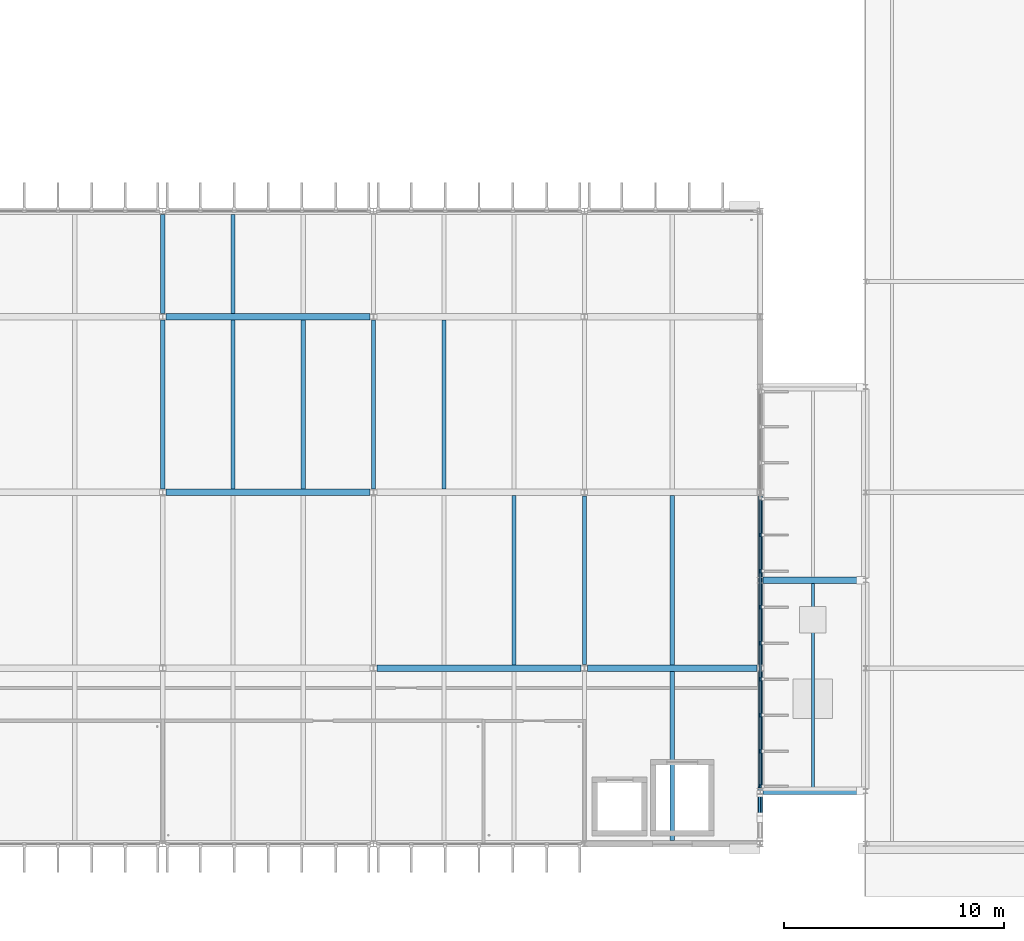
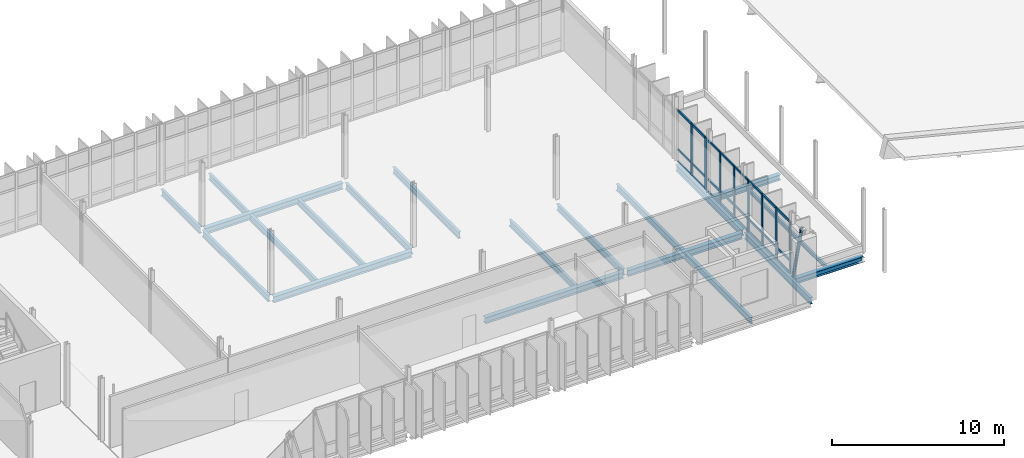
# One storey, part 31 of 93: 33 members, 20 beams, 1 element without a shape of its own.
"""IFC4 building model written with IfcOpenShell, lengths in metres."""

import ifcopenshell
import ifcopenshell.guid

model = None  # the IFC model being written
_history = None  # IfcOwnerHistory: only IFC2X3 demands one
_inside = {}  # id of a spatial element -> (the spatial element, [elements in it])
_under = {}  # id of a project, library or spatial element -> (it, [spatial elements below it])
_declared = {}  # id of a project -> (the project, [libraries it declares])
_typed = {}  # id of a type object -> (the type object, [elements of that type])
_made_of = {}  # id of a material, layer set ... -> (it, [elements and type objects made of it])


def new_model(schema):
    """Start an empty IFC model of exactly this schema.

    Asked for "IFC4X3", IfcOpenShell would pick the latest addendum, in which some entities
    have other attributes; the version numbers below select the first issue.
    IFC2X3 requires an IfcOwnerHistory on every rooted entity: one is made here for all.
    """
    global model, _history
    if schema == "IFC4X3":
        model = ifcopenshell.file(schema_version=(4, 3, 0, 0))
    else:
        model = ifcopenshell.file(schema=schema)
    _inside.clear()
    _under.clear()
    _declared.clear()
    _typed.clear()
    _made_of.clear()
    _history = None
    if model.schema == "IFC2X3":
        org = make("IfcOrganization", Name="unknown")
        user = make(
            "IfcPersonAndOrganization",
            ThePerson=make("IfcPerson", FamilyName="unknown"),
            TheOrganization=org,
        )
        app = make(
            "IfcApplication",
            ApplicationDeveloper=org,
            Version="unknown",
            ApplicationFullName="unknown",
            ApplicationIdentifier="unknown",
        )
        _history = make(
            "IfcOwnerHistory",
            OwningUser=user,
            OwningApplication=app,
            ChangeAction="ADDED",
            CreationDate=0,
        )
    return model


def make(cls, **values):
    """One entity of the class cls with the attributes given. An attribute that is None is left unset."""
    return model.create_entity(
        cls, **{name: value for name, value in values.items() if value is not None}
    )


def rooted(cls, **values):
    """An entity with a GlobalId (a new one), such as an element, a storey or a relation."""
    return make(cls, GlobalId=ifcopenshell.guid.new(), OwnerHistory=_history, **values)


def si_unit(unit_type, name, prefix=None):
    """IfcSIUnit, for example si_unit("LENGTHUNIT", "METRE", prefix="MILLI")."""
    return make("IfcSIUnit", UnitType=unit_type, Prefix=prefix, Name=name)


def assignment(units):
    """IfcUnitAssignment: the units of a project."""
    return None if units is None else make("IfcUnitAssignment", Units=units)


def point(xyz):
    """IfcCartesianPoint."""
    return None if xyz is None else make("IfcCartesianPoint", Coordinates=xyz)


def direction(xyz):
    """IfcDirection."""
    return None if xyz is None else make("IfcDirection", DirectionRatios=xyz)


def frame(location, z_axis=None, x_axis=None):
    """IfcAxis2Placement3D, a coordinate frame: its origin and axes. An axis left out is left unset."""
    return make(
        "IfcAxis2Placement3D",
        Location=point(location),
        Axis=direction(z_axis),
        RefDirection=direction(x_axis),
    )


def frame_2d(location, x_axis=None):
    """IfcAxis2Placement2D, a coordinate frame in the plane: its origin and x axis."""
    return make(
        "IfcAxis2Placement2D", Location=point(location), RefDirection=direction(x_axis)
    )


def origin():
    """The frame at (0, 0, 0) with its axes left unset."""
    return frame((0.0, 0.0, 0.0))


def origin_2d():
    """The frame at (0, 0) in the plane with its x axis left unset."""
    return frame_2d((0.0, 0.0))


def place(relative_to, where):
    """IfcLocalPlacement: puts the frame where relative to a parent placement (None: the world)."""
    return make(
        "IfcLocalPlacement", PlacementRelTo=relative_to, RelativePlacement=where
    )


def context(
    kind, dimensions, precision=None, world=None, true_north=None, identifier=None
):
    """IfcGeometricRepresentationContext, for example the 3D "Model" context."""
    return make(
        "IfcGeometricRepresentationContext",
        ContextIdentifier=identifier,
        ContextType=kind,
        CoordinateSpaceDimension=dimensions,
        Precision=precision,
        WorldCoordinateSystem=world,
        TrueNorth=true_north,
    )


def subcontext(parent, identifier, kind, view, scale=None):
    """IfcGeometricRepresentationSubContext, for example "Body" below "Model"."""
    return make(
        "IfcGeometricRepresentationSubContext",
        ContextIdentifier=identifier,
        ContextType=kind,
        ParentContext=parent,
        TargetScale=scale,
        TargetView=view,
    )


def project(units=None, contexts=None):
    """IfcProject with its units and contexts."""
    return rooted(
        "IfcProject",
        Name="project",
        RepresentationContexts=contexts,
        UnitsInContext=assignment(units),
    )


def spatial(cls, under=None, at=None, **own):
    """A site, building, storey or space (cls), placed at a placement, below another one or the project."""
    s = rooted(cls, ObjectPlacement=at, **own)
    if under is not None:
        _under.setdefault(under.id(), (under, []))[1].append(s)
    return s


def profile(cls, at=None, kind="AREA", **sizes):
    """A parametric profile (cls). Its sizes go by their IFC names, for example OverallWidth=200.0."""
    return make(cls, ProfileType=kind, Position=at, **sizes)


def rectangle(**sizes):
    """IfcRectangleProfileDef."""
    return profile("IfcRectangleProfileDef", **sizes)


def hollow_circle(**sizes):
    """IfcCircleHollowProfileDef."""
    return profile("IfcCircleHollowProfileDef", **sizes)


def i_section(**sizes):
    """IfcIShapeProfileDef."""
    return profile("IfcIShapeProfileDef", **sizes)


def extrude(swept, where, along, depth):
    """IfcExtrudedAreaSolid: the profile swept, set in the frame where, extruded along a direction by depth."""
    return make(
        "IfcExtrudedAreaSolid",
        SweptArea=swept,
        Position=where,
        ExtrudedDirection=direction(along),
        Depth=depth,
    )


def shape(context_of_items, identifier, shape_type, items):
    """IfcShapeRepresentation: the items that make up one representation, for example the "Body"."""
    return make(
        "IfcShapeRepresentation",
        ContextOfItems=context_of_items,
        RepresentationIdentifier=identifier,
        RepresentationType=shape_type,
        Items=items,
    )


def material(Name=None, Category=None):
    """IfcMaterial."""
    return make("IfcMaterial", Name=Name, Category=Category)


def material_profile(
    of_material, cross_section, Name=None, Category=None, Priority=None
):
    """IfcMaterialProfile: a cross section and its material."""
    return make(
        "IfcMaterialProfile",
        Name=Name,
        Material=of_material,
        Profile=cross_section,
        Priority=Priority,
        Category=Category,
    )


def profile_set(profiles, Name=None, composite=None):
    """IfcMaterialProfileSet."""
    return make(
        "IfcMaterialProfileSet",
        Name=Name,
        MaterialProfiles=profiles,
        CompositeProfile=composite,
    )


def made_of(thing, what):
    """Note that an element or type object is made of a material, layer set ...; save() writes the relation."""
    if what is not None:
        _made_of.setdefault(what.id(), (what, []))[1].append(thing)
    return thing


def type_object(cls, material=None, **own):
    """A type object (cls), such as IfcWallType, which elements share."""
    return made_of(rooted(cls, **own), material)


def element(
    cls,
    number,
    at=None,
    inside=None,
    cuts=None,
    type_object=None,
    material=None,
    context=None,
    identifier="Body",
    shape_type=None,
    held_by="IfcProductDefinitionShape",
    body=None,
    shapes=None,
    **own,
):
    """One element of the class cls, such as IfcWall. Its Tag is "e" and its number.

    at: its placement. inside: the storey or other place that contains it. cuts: it is an
    opening in that element (IfcRelVoidsElement). A single representation is given by context,
    identifier, shape_type and body (its items); several are given by shapes. held_by: the class
    of the entity that holds the representations. save() writes the other relations.
    """
    e = rooted(cls, Tag="e%d" % number, ObjectPlacement=at, **own)
    if body is not None:
        shapes = [shape(context, identifier, shape_type, body)]
    if shapes is not None:
        e.Representation = make(held_by, Representations=shapes)
    if inside is not None:
        _inside.setdefault(inside.id(), (inside, []))[1].append(e)
    if cuts is not None:
        rooted(
            "IfcRelVoidsElement", RelatingBuildingElement=cuts, RelatedOpeningElement=e
        )
    if type_object is not None:
        _typed.setdefault(type_object.id(), (type_object, []))[1].append(e)
    return made_of(e, material)


def aggregate(whole, parts):
    """IfcRelAggregates: a whole, such as a stair, and the parts it consists of."""
    return rooted("IfcRelAggregates", RelatingObject=whole, RelatedObjects=parts)


def save(model, path):
    """Write the relations noted so far, then the file.

    IfcRelAggregates (storeys below a building ...), IfcRelContainedInSpatialStructure (elements
    in a storey), IfcRelDefinesByType, IfcRelAssociatesMaterial and IfcRelDeclares: one each for
    every whole, place, type object, material and project.
    """
    for whole, parts in _under.values():
        aggregate(whole, parts)
    for where, things in _inside.values():
        rooted(
            "IfcRelContainedInSpatialStructure",
            RelatedElements=things,
            RelatingStructure=where,
        )
    for kind, things in _typed.values():
        rooted("IfcRelDefinesByType", RelatedObjects=things, RelatingType=kind)
    for what, things in _made_of.values():
        rooted("IfcRelAssociatesMaterial", RelatedObjects=things, RelatingMaterial=what)
    for by, libraries in _declared.values():
        rooted("IfcRelDeclares", RelatingContext=by, RelatedDefinitions=libraries)
    model.write(path)


model = new_model("IFC4")

# Units and contexts
model_context = context("Model", 3, precision=1e-05, world=origin(), true_north=direction((0.0, 1.0)))
body_context = subcontext(model_context, "Body", "Model", "MODEL_VIEW")
ifc_project = project(units=[si_unit("LENGTHUNIT", "METRE"), si_unit("AREAUNIT", "SQUARE_METRE"), si_unit("VOLUMEUNIT", "CUBIC_METRE"), si_unit("PLANEANGLEUNIT", "RADIAN"), si_unit("MASSUNIT", "GRAM", prefix="KILO")], contexts=[model_context])

# Site, building, storey
site_placement = place(None, origin())
site = spatial("IfcSite", under=ifc_project, at=site_placement, CompositionType="ELEMENT")
building_placement = place(site_placement, origin())
building = spatial("IfcBuilding", under=site, at=building_placement, Name="Dunescarp Central Library", CompositionType="ELEMENT")
storey_placement = place(building_placement, frame((0.0, 0.0, 14.10009765625)))
storey = spatial("IfcBuildingStorey", under=building, at=storey_placement, Name="L03", CompositionType="ELEMENT", Elevation=14.10009765625)

# Curtain wall, members
ifc_material_1 = material(Name="Marine-grade anodised aluminium 6063-T6", Category="aluminium")
curtain_wall_type = type_object("IfcCurtainWallType", Name="ARC-CW-STICK", PredefinedType="NOTDEFINED", material=ifc_material_1)
curtain_wall_placement = place(storey_placement, origin())
curtain_wall = element("IfcCurtainWall", 1, at=curtain_wall_placement, inside=storey, type_object=curtain_wall_type, Name="L03 curtain wall CW-V3-107", PredefinedType="NOTDEFINED")
ifc_material_profile_1 = material_profile(ifc_material_1, rectangle(XDim=0.080078125, YDim=0.179931640625, at=origin_2d()), Name="AL 80x180")
ifc_profile_set_1 = profile_set([ifc_material_profile_1], Name="Marine-grade anodised aluminium 6063-T6")
member_type_1 = type_object("IfcMemberType", Name="ARC-CWM-180", PredefinedType="MULLION", material=ifc_profile_set_1)
member_1_placement = place(storey_placement, frame((124.800048828125, 18.861328125, 0.0), z_axis=(0.0, 0.0, 1.0), x_axis=(1.0, 0.0, 0.0)))
member_1 = element("IfcMember", 2, at=member_1_placement, type_object=member_type_1, Name="CW-V3-107 mullion 5", PredefinedType="MULLION", context=body_context, shape_type="SweptSolid", body=[
    extrude(rectangle(XDim=0.080078125, YDim=0.179931640625, at=origin_2d()), origin(), (0.0, 0.0, 1.0), 3.685791015625),
])
member_2_placement = place(storey_placement, frame((124.800048828125, 17.220458984375, 0.0), z_axis=(0.0, 0.0, 1.0), x_axis=(1.0, 0.0, 0.0)))
member_2 = element("IfcMember", 3, at=member_2_placement, type_object=member_type_1, Name="CW-V3-107 mullion 6", PredefinedType="MULLION", context=body_context, shape_type="SweptSolid", body=[
    extrude(rectangle(XDim=0.080078125, YDim=0.179931640625, at=origin_2d()), origin(), (0.0, 0.0, 1.0), 3.685791015625),
])
member_3_placement = place(storey_placement, frame((124.800048828125, 15.57958984375, 0.0), z_axis=(0.0, 0.0, 1.0), x_axis=(1.0, 0.0, 0.0)))
member_3 = element("IfcMember", 4, at=member_3_placement, type_object=member_type_1, Name="CW-V3-107 mullion 7", PredefinedType="MULLION", context=body_context, shape_type="SweptSolid", body=[
    extrude(rectangle(XDim=0.080078125, YDim=0.179931640625, at=origin_2d()), origin(), (0.0, 0.0, 1.0), 3.685791015625),
])
member_4_placement = place(storey_placement, frame((124.800048828125, 13.938720703125, 0.0), z_axis=(0.0, 0.0, 1.0), x_axis=(1.0, 0.0, 0.0)))
member_4 = element("IfcMember", 5, at=member_4_placement, type_object=member_type_1, Name="CW-V3-107 mullion 8", PredefinedType="MULLION", context=body_context, shape_type="SweptSolid", body=[
    extrude(rectangle(XDim=0.080078125, YDim=0.179931640625, at=origin_2d()), origin(), (0.0, 0.0, 1.0), 3.685791015625),
])
member_5_placement = place(storey_placement, frame((124.800048828125, 12.297607421875, 0.0), z_axis=(0.0, 0.0, 1.0), x_axis=(1.0, 0.0, 0.0)))
member_5 = element("IfcMember", 6, at=member_5_placement, type_object=member_type_1, Name="CW-V3-107 mullion 9", PredefinedType="MULLION", context=body_context, shape_type="SweptSolid", body=[
    extrude(rectangle(XDim=0.080078125, YDim=0.179931640625, at=origin_2d()), origin(), (0.0, 0.0, 1.0), 3.685791015625),
])
member_6_placement = place(storey_placement, frame((124.800048828125, 10.65673828125, 0.0), z_axis=(0.0, 0.0, 1.0), x_axis=(1.0, 0.0, 0.0)))
member_6 = element("IfcMember", 7, at=member_6_placement, type_object=member_type_1, Name="CW-V3-107 mullion 10", PredefinedType="MULLION", context=body_context, shape_type="SweptSolid", body=[
    extrude(rectangle(XDim=0.080078125, YDim=0.179931640625, at=origin_2d()), origin(), (0.0, 0.0, 1.0), 3.685791015625),
])
member_7_placement = place(storey_placement, frame((124.800048828125, 9.015869140625, 0.0), z_axis=(0.0, 0.0, 1.0), x_axis=(1.0, 0.0, 0.0)))
member_7 = element("IfcMember", 8, at=member_7_placement, type_object=member_type_1, Name="CW-V3-107 mullion 11", PredefinedType="MULLION", context=body_context, shape_type="SweptSolid", body=[
    extrude(rectangle(XDim=0.080078125, YDim=0.179931640625, at=origin_2d()), origin(), (0.0, 0.0, 1.0), 3.685791015625),
])
member_8_placement = place(storey_placement, frame((124.800048828125, 7.4150390625, 0.0), z_axis=(0.0, 0.0, 1.0), x_axis=(1.0, 0.0, 0.0)))
member_8 = element("IfcMember", 9, at=member_8_placement, type_object=member_type_1, Name="CW-V3-107 mullion 12", PredefinedType="MULLION", context=body_context, shape_type="SweptSolid", body=[
    extrude(rectangle(XDim=0.080078125, YDim=0.179931640625, at=origin_2d()), origin(), (0.0, 0.0, 1.0), 3.685791015625),
])
ifc_material_profile_2 = material_profile(ifc_material_1, rectangle(XDim=0.080078125, YDim=0.14990234375, at=origin_2d()), Name="AL 80x150")
ifc_profile_set_2 = profile_set([ifc_material_profile_2], Name="Marine-grade anodised aluminium 6063-T6")
member_type_2 = type_object("IfcMemberType", Name="ARC-CWT-150", PredefinedType="USERDEFINED", material=ifc_profile_set_2)
member_9_placement = place(storey_placement, frame((124.800048828125, 20.462158203125, 0.039794921875), z_axis=(0.0, -1.0, 0.0), x_axis=(1.0, 0.0, 0.0)))
member_9 = element("IfcMember", 10, at=member_9_placement, type_object=member_type_2, Name="CW-V3-107 transom 4.1", ObjectType="TRANSOM", PredefinedType="USERDEFINED", context=body_context, shape_type="SweptSolid", body=[
    extrude(rectangle(XDim=0.080078125, YDim=0.14990234375, at=origin_2d()), origin(), (0.0, 0.0, 1.0), 1.560791015625),
])
member_10_placement = place(storey_placement, frame((124.800048828125, 20.462158203125, 0.89990234375), z_axis=(0.0, -1.0, 0.0), x_axis=(1.0, 0.0, 0.0)))
member_10 = element("IfcMember", 11, at=member_10_placement, type_object=member_type_2, Name="CW-V3-107 transom 4.2", ObjectType="TRANSOM", PredefinedType="USERDEFINED", context=body_context, shape_type="SweptSolid", body=[
    extrude(rectangle(XDim=0.080078125, YDim=0.14990234375, at=origin_2d()), origin(), (0.0, 0.0, 1.0), 1.560791015625),
])
member_11_placement = place(storey_placement, frame((124.800048828125, 20.462158203125, 3.64599609375), z_axis=(0.0, -1.0, 0.0), x_axis=(1.0, 0.0, 0.0)))
member_11 = element("IfcMember", 12, at=member_11_placement, type_object=member_type_2, Name="CW-V3-107 transom 4.3", ObjectType="TRANSOM", PredefinedType="USERDEFINED", context=body_context, shape_type="SweptSolid", body=[
    extrude(rectangle(XDim=0.080078125, YDim=0.14990234375, at=origin_2d()), origin(), (0.0, 0.0, 1.0), 1.560791015625),
])
member_12_placement = place(storey_placement, frame((124.800048828125, 18.8212890625, 0.039794921875), z_axis=(0.0, -1.0, 0.0), x_axis=(1.0, 0.0, 0.0)))
member_12 = element("IfcMember", 13, at=member_12_placement, type_object=member_type_2, Name="CW-V3-107 transom 5.1", ObjectType="TRANSOM", PredefinedType="USERDEFINED", context=body_context, shape_type="SweptSolid", body=[
    extrude(rectangle(XDim=0.080078125, YDim=0.14990234375, at=origin_2d()), origin(), (0.0, 0.0, 1.0), 1.560791015625),
])
member_13_placement = place(storey_placement, frame((124.800048828125, 18.8212890625, 0.89990234375), z_axis=(0.0, -1.0, 0.0), x_axis=(1.0, 0.0, 0.0)))
member_13 = element("IfcMember", 14, at=member_13_placement, type_object=member_type_2, Name="CW-V3-107 transom 5.2", ObjectType="TRANSOM", PredefinedType="USERDEFINED", context=body_context, shape_type="SweptSolid", body=[
    extrude(rectangle(XDim=0.080078125, YDim=0.14990234375, at=origin_2d()), origin(), (0.0, 0.0, 1.0), 1.560791015625),
])
member_14_placement = place(storey_placement, frame((124.800048828125, 18.8212890625, 3.64599609375), z_axis=(0.0, -1.0, 0.0), x_axis=(1.0, 0.0, 0.0)))
member_14 = element("IfcMember", 15, at=member_14_placement, type_object=member_type_2, Name="CW-V3-107 transom 5.3", ObjectType="TRANSOM", PredefinedType="USERDEFINED", context=body_context, shape_type="SweptSolid", body=[
    extrude(rectangle(XDim=0.080078125, YDim=0.14990234375, at=origin_2d()), origin(), (0.0, 0.0, 1.0), 1.560791015625),
])
member_15_placement = place(storey_placement, frame((124.800048828125, 17.180419921875, 0.039794921875), z_axis=(0.0, -1.0, 0.0), x_axis=(1.0, 0.0, 0.0)))
member_15 = element("IfcMember", 16, at=member_15_placement, type_object=member_type_2, Name="CW-V3-107 transom 6.1", ObjectType="TRANSOM", PredefinedType="USERDEFINED", context=body_context, shape_type="SweptSolid", body=[
    extrude(rectangle(XDim=0.080078125, YDim=0.14990234375, at=origin_2d()), origin(), (0.0, 0.0, 1.0), 1.560791015625),
])
member_16_placement = place(storey_placement, frame((124.800048828125, 17.180419921875, 0.89990234375), z_axis=(0.0, -1.0, 0.0), x_axis=(1.0, 0.0, 0.0)))
member_16 = element("IfcMember", 17, at=member_16_placement, type_object=member_type_2, Name="CW-V3-107 transom 6.2", ObjectType="TRANSOM", PredefinedType="USERDEFINED", context=body_context, shape_type="SweptSolid", body=[
    extrude(rectangle(XDim=0.080078125, YDim=0.14990234375, at=origin_2d()), origin(), (0.0, 0.0, 1.0), 1.560791015625),
])
member_17_placement = place(storey_placement, frame((124.800048828125, 17.180419921875, 3.64599609375), z_axis=(0.0, -1.0, 0.0), x_axis=(1.0, 0.0, 0.0)))
member_17 = element("IfcMember", 18, at=member_17_placement, type_object=member_type_2, Name="CW-V3-107 transom 6.3", ObjectType="TRANSOM", PredefinedType="USERDEFINED", context=body_context, shape_type="SweptSolid", body=[
    extrude(rectangle(XDim=0.080078125, YDim=0.14990234375, at=origin_2d()), origin(), (0.0, 0.0, 1.0), 1.560791015625),
])
member_18_placement = place(storey_placement, frame((124.800048828125, 15.53955078125, 0.039794921875), z_axis=(0.0, -1.0, 0.0), x_axis=(1.0, 0.0, 0.0)))
member_18 = element("IfcMember", 19, at=member_18_placement, type_object=member_type_2, Name="CW-V3-107 transom 7.1", ObjectType="TRANSOM", PredefinedType="USERDEFINED", context=body_context, shape_type="SweptSolid", body=[
    extrude(rectangle(XDim=0.080078125, YDim=0.14990234375, at=origin_2d()), origin(), (0.0, 0.0, 1.0), 1.56103515625),
])
member_19_placement = place(storey_placement, frame((124.800048828125, 15.53955078125, 0.89990234375), z_axis=(0.0, -1.0, 0.0), x_axis=(1.0, 0.0, 0.0)))
member_19 = element("IfcMember", 20, at=member_19_placement, type_object=member_type_2, Name="CW-V3-107 transom 7.2", ObjectType="TRANSOM", PredefinedType="USERDEFINED", context=body_context, shape_type="SweptSolid", body=[
    extrude(rectangle(XDim=0.080078125, YDim=0.14990234375, at=origin_2d()), origin(), (0.0, 0.0, 1.0), 1.56103515625),
])
member_20_placement = place(storey_placement, frame((124.800048828125, 15.53955078125, 3.64599609375), z_axis=(0.0, -1.0, 0.0), x_axis=(1.0, 0.0, 0.0)))
member_20 = element("IfcMember", 21, at=member_20_placement, type_object=member_type_2, Name="CW-V3-107 transom 7.3", ObjectType="TRANSOM", PredefinedType="USERDEFINED", context=body_context, shape_type="SweptSolid", body=[
    extrude(rectangle(XDim=0.080078125, YDim=0.14990234375, at=origin_2d()), origin(), (0.0, 0.0, 1.0), 1.56103515625),
])
member_21_placement = place(storey_placement, frame((124.800048828125, 13.898681640625, 0.039794921875), z_axis=(0.0, -1.0, 0.0), x_axis=(1.0, 0.0, 0.0)))
member_21 = element("IfcMember", 22, at=member_21_placement, type_object=member_type_2, Name="CW-V3-107 transom 8.1", ObjectType="TRANSOM", PredefinedType="USERDEFINED", context=body_context, shape_type="SweptSolid", body=[
    extrude(rectangle(XDim=0.080078125, YDim=0.14990234375, at=origin_2d()), origin(), (0.0, 0.0, 1.0), 1.56103515625),
])
member_22_placement = place(storey_placement, frame((124.800048828125, 13.898681640625, 0.89990234375), z_axis=(0.0, -1.0, 0.0), x_axis=(1.0, 0.0, 0.0)))
member_22 = element("IfcMember", 23, at=member_22_placement, type_object=member_type_2, Name="CW-V3-107 transom 8.2", ObjectType="TRANSOM", PredefinedType="USERDEFINED", context=body_context, shape_type="SweptSolid", body=[
    extrude(rectangle(XDim=0.080078125, YDim=0.14990234375, at=origin_2d()), origin(), (0.0, 0.0, 1.0), 1.56103515625),
])
member_23_placement = place(storey_placement, frame((124.800048828125, 13.898681640625, 3.64599609375), z_axis=(0.0, -1.0, 0.0), x_axis=(1.0, 0.0, 0.0)))
member_23 = element("IfcMember", 24, at=member_23_placement, type_object=member_type_2, Name="CW-V3-107 transom 8.3", ObjectType="TRANSOM", PredefinedType="USERDEFINED", context=body_context, shape_type="SweptSolid", body=[
    extrude(rectangle(XDim=0.080078125, YDim=0.14990234375, at=origin_2d()), origin(), (0.0, 0.0, 1.0), 1.56103515625),
])
member_24_placement = place(storey_placement, frame((124.800048828125, 12.2578125, 0.039794921875), z_axis=(0.0, -1.0, 0.0), x_axis=(1.0, 0.0, 0.0)))
member_24 = element("IfcMember", 25, at=member_24_placement, type_object=member_type_2, Name="CW-V3-107 transom 9.1", ObjectType="TRANSOM", PredefinedType="USERDEFINED", context=body_context, shape_type="SweptSolid", body=[
    extrude(rectangle(XDim=0.080078125, YDim=0.14990234375, at=origin_2d()), origin(), (0.0, 0.0, 1.0), 1.56103515625),
])
member_25_placement = place(storey_placement, frame((124.800048828125, 12.2578125, 0.89990234375), z_axis=(0.0, -1.0, 0.0), x_axis=(1.0, 0.0, 0.0)))
member_25 = element("IfcMember", 26, at=member_25_placement, type_object=member_type_2, Name="CW-V3-107 transom 9.2", ObjectType="TRANSOM", PredefinedType="USERDEFINED", context=body_context, shape_type="SweptSolid", body=[
    extrude(rectangle(XDim=0.080078125, YDim=0.14990234375, at=origin_2d()), origin(), (0.0, 0.0, 1.0), 1.56103515625),
])
member_26_placement = place(storey_placement, frame((124.800048828125, 12.2578125, 3.64599609375), z_axis=(0.0, -1.0, 0.0), x_axis=(1.0, 0.0, 0.0)))
member_26 = element("IfcMember", 27, at=member_26_placement, type_object=member_type_2, Name="CW-V3-107 transom 9.3", ObjectType="TRANSOM", PredefinedType="USERDEFINED", context=body_context, shape_type="SweptSolid", body=[
    extrude(rectangle(XDim=0.080078125, YDim=0.14990234375, at=origin_2d()), origin(), (0.0, 0.0, 1.0), 1.56103515625),
])
member_27_placement = place(storey_placement, frame((124.800048828125, 10.61669921875, 0.039794921875), z_axis=(0.0, -1.0, 0.0), x_axis=(1.0, 0.0, 0.0)))
member_27 = element("IfcMember", 28, at=member_27_placement, type_object=member_type_2, Name="CW-V3-107 transom 10.1", ObjectType="TRANSOM", PredefinedType="USERDEFINED", context=body_context, shape_type="SweptSolid", body=[
    extrude(rectangle(XDim=0.080078125, YDim=0.14990234375, at=origin_2d()), origin(), (0.0, 0.0, 1.0), 1.560791015625),
])
member_28_placement = place(storey_placement, frame((124.800048828125, 10.61669921875, 0.89990234375), z_axis=(0.0, -1.0, 0.0), x_axis=(1.0, 0.0, 0.0)))
member_28 = element("IfcMember", 29, at=member_28_placement, type_object=member_type_2, Name="CW-V3-107 transom 10.2", ObjectType="TRANSOM", PredefinedType="USERDEFINED", context=body_context, shape_type="SweptSolid", body=[
    extrude(rectangle(XDim=0.080078125, YDim=0.14990234375, at=origin_2d()), origin(), (0.0, 0.0, 1.0), 1.560791015625),
])
member_29_placement = place(storey_placement, frame((124.800048828125, 10.61669921875, 3.64599609375), z_axis=(0.0, -1.0, 0.0), x_axis=(1.0, 0.0, 0.0)))
member_29 = element("IfcMember", 30, at=member_29_placement, type_object=member_type_2, Name="CW-V3-107 transom 10.3", ObjectType="TRANSOM", PredefinedType="USERDEFINED", context=body_context, shape_type="SweptSolid", body=[
    extrude(rectangle(XDim=0.080078125, YDim=0.14990234375, at=origin_2d()), origin(), (0.0, 0.0, 1.0), 1.560791015625),
])
member_30_placement = place(storey_placement, frame((124.800048828125, 8.975830078125, 0.039794921875), z_axis=(0.0, -1.0, 0.0), x_axis=(1.0, 0.0, 0.0)))
member_30 = element("IfcMember", 31, at=member_30_placement, type_object=member_type_2, Name="CW-V3-107 transom 11.1", ObjectType="TRANSOM", PredefinedType="USERDEFINED", context=body_context, shape_type="SweptSolid", body=[
    extrude(rectangle(XDim=0.080078125, YDim=0.14990234375, at=origin_2d()), origin(), (0.0, 0.0, 1.0), 1.520751953125),
])
member_31_placement = place(storey_placement, frame((124.800048828125, 8.975830078125, 0.89990234375), z_axis=(0.0, -1.0, 0.0), x_axis=(1.0, 0.0, 0.0)))
member_31 = element("IfcMember", 32, at=member_31_placement, type_object=member_type_2, Name="CW-V3-107 transom 11.2", ObjectType="TRANSOM", PredefinedType="USERDEFINED", context=body_context, shape_type="SweptSolid", body=[
    extrude(rectangle(XDim=0.080078125, YDim=0.14990234375, at=origin_2d()), origin(), (0.0, 0.0, 1.0), 1.520751953125),
])
member_32_placement = place(storey_placement, frame((124.800048828125, 8.975830078125, 3.64599609375), z_axis=(0.0, -1.0, 0.0), x_axis=(1.0, 0.0, 0.0)))
member_32 = element("IfcMember", 33, at=member_32_placement, type_object=member_type_2, Name="CW-V3-107 transom 11.3", ObjectType="TRANSOM", PredefinedType="USERDEFINED", context=body_context, shape_type="SweptSolid", body=[
    extrude(rectangle(XDim=0.080078125, YDim=0.14990234375, at=origin_2d()), origin(), (0.0, 0.0, 1.0), 1.520751953125),
])
aggregate(curtain_wall, [member_1, member_2, member_3, member_4, member_5, member_6, member_7, member_8, member_9, member_10, member_11, member_12, member_13, member_14, member_15, member_16, member_17, member_18, member_19, member_20, member_21, member_22, member_23, member_24, member_25, member_26, member_27, member_28, member_29, member_30, member_31, member_32])

# Beams
ifc_material_2 = material(Name="Steel S355JR", Category="steel")
ifc_material_profile_3 = material_profile(ifc_material_2, i_section(OverallWidth=0.300048828125, OverallDepth=0.389892578125, WebThickness=0.010986328125, FlangeThickness=0.01904296875, at=origin_2d()), Name="HEA 400")
ifc_profile_set_3 = profile_set([ifc_material_profile_3], Name="Steel S355JR")
beam_type_1 = type_object("IfcBeamType", Name="STR-BM-HEA400", PredefinedType="BEAM", material=ifc_profile_set_3)
for number, where, z_axis, x_axis, name in (
    (34, (124.927978515625, 7.199951171875, -0.43505859375), (1.0, 0.0, 0.0), (0.0, 1.0, 0.0), "L03 girder BM-L03-20009"),
    (35, (124.927978515625, 16.800048828125, -0.43505859375), (1.0, 0.0, 0.0), (0.0, 1.0, 0.0), "L03 girder BM-L03-20010"),
):
    element("IfcBeam", number, at=place(storey_placement, frame(where, z_axis=z_axis, x_axis=x_axis)), inside=storey, type_object=beam_type_1, Name=name, PredefinedType="BEAM", context=body_context, shape_type="SweptSolid", body=[
        extrude(i_section(OverallWidth=0.300048828125, OverallDepth=0.389892578125, WebThickness=0.010986328125, FlangeThickness=0.01904296875, at=origin_2d()), origin(), (0.0, 0.0, 1.0), 4.572998046875),
    ])
ifc_material_profile_4 = material_profile(ifc_material_2, i_section(OverallWidth=0.300048828125, OverallDepth=0.43994140625, WebThickness=0.011474609375, FlangeThickness=0.02099609375, at=origin_2d()), Name="HEA 450")
ifc_profile_set_4 = profile_set([ifc_material_profile_4], Name="Steel S355JR")
beam_type_2 = type_object("IfcBeamType", Name="STR-BM-HEA450", PredefinedType="BEAM", material=ifc_profile_set_4)
for number, where, z_axis, x_axis, name in (
    (36, (97.7509765625, 20.800048828125, -0.460205078125), (1.0, 0.0, 0.0), (0.0, 1.0, 0.0), "L03 girder BM-L03-0844"),
    (37, (97.7509765625, 28.800048828125, -0.460205078125), (1.0, 0.0, 0.0), (0.0, 1.0, 0.0), "L03 girder BM-L03-0848"),
):
    element("IfcBeam", number, at=place(storey_placement, frame(where, z_axis=z_axis, x_axis=x_axis)), inside=storey, type_object=beam_type_2, Name=name, PredefinedType="BEAM", context=body_context, shape_type="SweptSolid", body=[
        extrude(i_section(OverallWidth=0.300048828125, OverallDepth=0.43994140625, WebThickness=0.011474609375, FlangeThickness=0.02099609375, at=origin_2d()), origin(), (0.0, 0.0, 1.0), 9.298095703125),
    ])
beam_1_placement = place(storey_placement, frame((107.35107421875, 12.800048828125, -0.460205078125), z_axis=(1.0, 0.0, 0.0), x_axis=(0.0, 1.0, 0.0)))
element("IfcBeam", 38, at=beam_1_placement, inside=storey, type_object=beam_type_2, Name="L03 girder BM-L03-0857", PredefinedType="BEAM", context=body_context, shape_type="SweptSolid", body=[
    extrude(i_section(OverallWidth=0.300048828125, OverallDepth=0.43994140625, WebThickness=0.011474609375, FlangeThickness=0.02099609375, at=origin_2d()), origin(), (0.0, 0.0, 1.0), 9.2978515625),
])
beam_2_placement = place(storey_placement, frame((116.950927734375, 12.800048828125, -0.460205078125), z_axis=(1.0, 0.0, 0.0), x_axis=(0.0, 1.0, 0.0)))
element("IfcBeam", 39, at=beam_2_placement, inside=storey, type_object=beam_type_2, Name="L03 girder BM-L03-0874", PredefinedType="BEAM", context=body_context, shape_type="SweptSolid", body=[
    extrude(i_section(OverallWidth=0.300048828125, OverallDepth=0.43994140625, WebThickness=0.011474609375, FlangeThickness=0.02099609375, at=origin_2d()), origin(), (0.0, 0.0, 1.0), 7.697998046875),
])
ifc_material_profile_5 = material_profile(ifc_material_2, i_section(OverallWidth=0.19140625, OverallDepth=0.4599609375, WebThickness=0.010009765625, FlangeThickness=0.01611328125, at=origin_2d()), Name="UB 457x191x82")
ifc_profile_set_5 = profile_set([ifc_material_profile_5], Name="Steel S355JR")
beam_type_3 = type_object("IfcBeamType", Name="STR-BM-UB457X82", PredefinedType="BEAM", material=ifc_profile_set_5)
beam_3_placement = place(storey_placement, frame((97.60009765625, 20.9541015625, -0.47021484375), z_axis=(0.0, 1.0, 0.0), x_axis=(-1.0, 0.0, 0.0)))
element("IfcBeam", 40, at=beam_3_placement, inside=storey, type_object=beam_type_3, Name="L03 girder BM-L03-0834", PredefinedType="BEAM", context=body_context, shape_type="SweptSolid", body=[
    extrude(i_section(OverallWidth=0.19140625, OverallDepth=0.4599609375, WebThickness=0.010009765625, FlangeThickness=0.01611328125, at=origin_2d()), origin(), (0.0, 0.0, 1.0), 7.69189453125),
])
beam_4_placement = place(storey_placement, frame((97.60009765625, 28.9541015625, -0.47021484375), z_axis=(0.0, 1.0, 0.0), x_axis=(-1.0, 0.0, 0.0)))
element("IfcBeam", 41, at=beam_4_placement, inside=storey, type_object=beam_type_3, Name="L03 girder BM-L03-0837", PredefinedType="BEAM", context=body_context, shape_type="SweptSolid", body=[
    extrude(i_section(OverallWidth=0.19140625, OverallDepth=0.4599609375, WebThickness=0.010009765625, FlangeThickness=0.01611328125, at=origin_2d()), origin(), (0.0, 0.0, 1.0), 4.491943359375),
])
for number, where, z_axis, x_axis, name in (
    (42, (107.199951171875, 20.9541015625, -0.47021484375), (0.0, 1.0, 0.0), (-1.0, 0.0, 0.0), "L03 girder BM-L03-0849"),
    (43, (116.800048828125, 12.9541015625, -0.47021484375), (0.0, 1.0, 0.0), (-1.0, 0.0, 0.0), "L03 girder BM-L03-0862"),
    (44, (124.800048828125, 4.9541015625, -0.47021484375), (0.0, 1.0, 0.0), (-1.0, 0.0, 0.0), "L03 girder BM-L03-0875"),
    (45, (124.800048828125, 12.9541015625, -0.47021484375), (0.0, 1.0, 0.0), (-1.0, 0.0, 0.0), "L03 girder BM-L03-0878"),
):
    element("IfcBeam", number, at=place(storey_placement, frame(where, z_axis=z_axis, x_axis=x_axis)), inside=storey, type_object=beam_type_3, Name=name, PredefinedType="BEAM", context=body_context, shape_type="SweptSolid", body=[
        extrude(i_section(OverallWidth=0.19140625, OverallDepth=0.4599609375, WebThickness=0.010009765625, FlangeThickness=0.01611328125, at=origin_2d()), origin(), (0.0, 0.0, 1.0), 7.69189453125),
    ])

# Member
ifc_material_3 = material(Name="Steel S355J0", Category="steel")
ifc_material_profile_6 = material_profile(ifc_material_3, hollow_circle(Radius=0.109619140625, WallThickness=0.010009765625, at=origin_2d()), Name="CHS 219.1x10")
ifc_profile_set_6 = profile_set([ifc_material_profile_6], Name="Steel S355J0")
member_type_3 = type_object("IfcMemberType", Name="STR-BR-219", PredefinedType="BRACE", material=ifc_profile_set_6)
member_33_placement = place(storey_placement, frame((124.800048828125, 7.080078125, 0.0), z_axis=(0.0, -0.241965696153, 0.970284804521), x_axis=(1.0, 0.0, 0.0)))
element("IfcMember", 46, at=member_33_placement, inside=storey, type_object=member_type_3, Name="L03 concentric brace BR-L03-048", PredefinedType="BRACE", context=body_context, shape_type="SweptSolid", body=[
    extrude(hollow_circle(Radius=0.109619140625, WallThickness=0.010009765625, at=origin_2d()), origin(), (0.0, 0.0, 1.0), 4.1328125),
])

# Beams
ifc_material_profile_7 = material_profile(ifc_material_2, i_section(OverallWidth=0.135009765625, OverallDepth=0.27001953125, WebThickness=0.006591796875, FlangeThickness=0.01025390625, at=origin_2d()), Name="IPE 270")
ifc_profile_set_7 = profile_set([ifc_material_profile_7], Name="Steel S355JR")
beam_type_4 = type_object("IfcBeamType", Name="STR-JS-IPE270", PredefinedType="JOIST", material=ifc_profile_set_7)
beam_5_placement = place(storey_placement, frame((127.199951171875, 7.347900390625, -0.375), z_axis=(0.0, 1.0, 0.0), x_axis=(-1.0, 0.0, 0.0)))
element("IfcBeam", 47, at=beam_5_placement, inside=storey, type_object=beam_type_4, Name="L03 joist JS-L03-20012", PredefinedType="JOIST", context=body_context, shape_type="SweptSolid", body=[
    extrude(i_section(OverallWidth=0.135009765625, OverallDepth=0.27001953125, WebThickness=0.006591796875, FlangeThickness=0.01025390625, at=origin_2d()), origin(), (0.0, 0.0, 1.0), 9.30419921875),
])
ifc_material_profile_8 = material_profile(ifc_material_2, i_section(OverallWidth=0.18994140625, OverallDepth=0.449951171875, WebThickness=0.009521484375, FlangeThickness=0.0146484375, at=origin_2d()), Name="IPE 450")
ifc_profile_set_8 = profile_set([ifc_material_profile_8], Name="Steel S355JR")
beam_type_5 = type_object("IfcBeamType", Name="STR-JS-IPE450", PredefinedType="JOIST", material=ifc_profile_set_8)
for number, where, z_axis, x_axis, name in (
    (48, (100.800048828125, 20.947998046875, -0.465087890625), (0.0, 1.0, 0.0), (-1.0, 0.0, 0.0), "L03 joist JS-L03-0850"),
    (49, (104.0, 20.947998046875, -0.465087890625), (0.0, 1.0, 0.0), (-1.0, 0.0, 0.0), "L03 joist JS-L03-0851"),
):
    element("IfcBeam", number, at=place(storey_placement, frame(where, z_axis=z_axis, x_axis=x_axis)), inside=storey, type_object=beam_type_5, Name=name, PredefinedType="JOIST", context=body_context, shape_type="SweptSolid", body=[
        extrude(i_section(OverallWidth=0.18994140625, OverallDepth=0.449951171875, WebThickness=0.009521484375, FlangeThickness=0.0146484375, at=origin_2d()), origin(), (0.0, 0.0, 1.0), 7.7041015625),
    ])
beam_6_placement = place(storey_placement, frame((100.800048828125, 28.947998046875, -0.465087890625), z_axis=(0.0, 1.0, 0.0), x_axis=(-1.0, 0.0, 0.0)))
element("IfcBeam", 50, at=beam_6_placement, inside=storey, type_object=beam_type_5, Name="L03 joist JS-L03-0854", PredefinedType="JOIST", context=body_context, shape_type="SweptSolid", body=[
    extrude(i_section(OverallWidth=0.18994140625, OverallDepth=0.449951171875, WebThickness=0.009521484375, FlangeThickness=0.0146484375, at=origin_2d()), origin(), (0.0, 0.0, 1.0), 4.50390625),
])
for number, where, z_axis, x_axis, name in (
    (51, (113.60009765625, 12.947998046875, -0.465087890625), (0.0, 1.0, 0.0), (-1.0, 0.0, 0.0), "L03 joist JS-L03-0864"),
    (52, (110.39990234375, 20.947998046875, -0.465087890625), (0.0, 1.0, 0.0), (-1.0, 0.0, 0.0), "L03 joist JS-L03-0867"),
    (53, (120.800048828125, 4.947998046875, -0.465087890625), (0.0, 1.0, 0.0), (-1.0, 0.0, 0.0), "L03 joist JS-L03-0876"),
    (54, (120.800048828125, 12.947998046875, -0.465087890625), (0.0, 1.0, 0.0), (-1.0, 0.0, 0.0), "L03 joist JS-L03-0879"),
):
    element("IfcBeam", number, at=place(storey_placement, frame(where, z_axis=z_axis, x_axis=x_axis)), inside=storey, type_object=beam_type_5, Name=name, PredefinedType="JOIST", context=body_context, shape_type="SweptSolid", body=[
        extrude(i_section(OverallWidth=0.18994140625, OverallDepth=0.449951171875, WebThickness=0.009521484375, FlangeThickness=0.0146484375, at=origin_2d()), origin(), (0.0, 0.0, 1.0), 7.7041015625),
    ])

save(model, "model.ifc")
